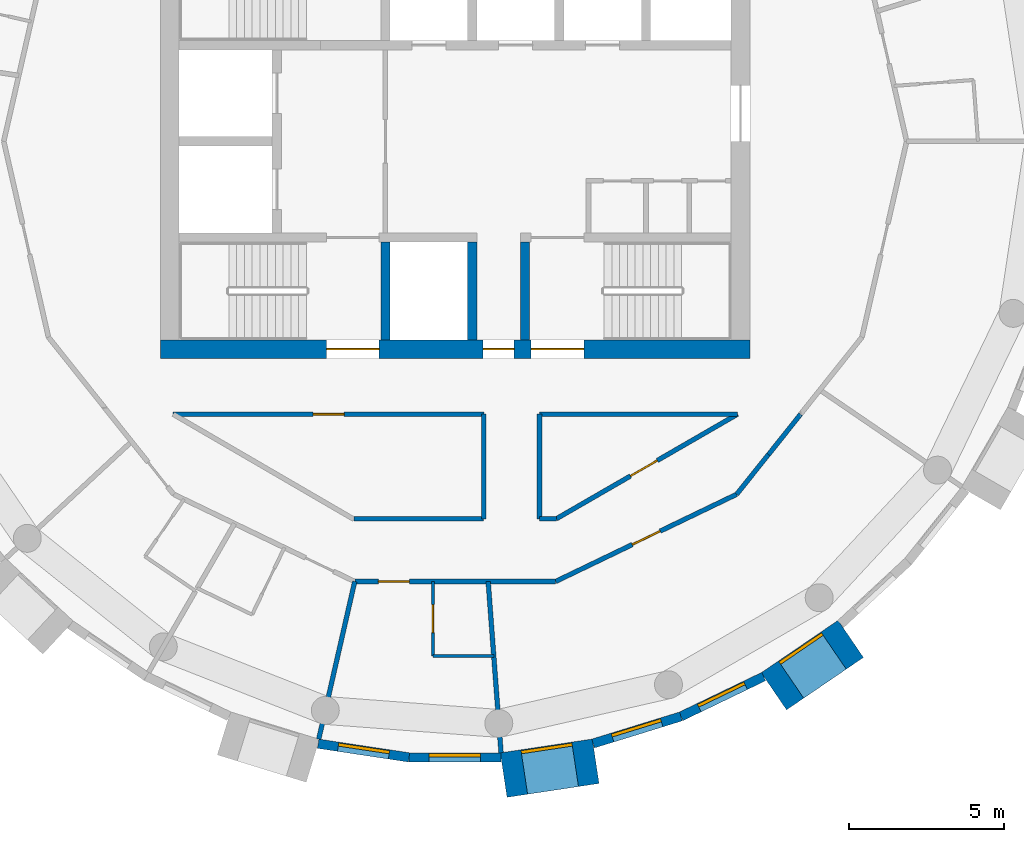
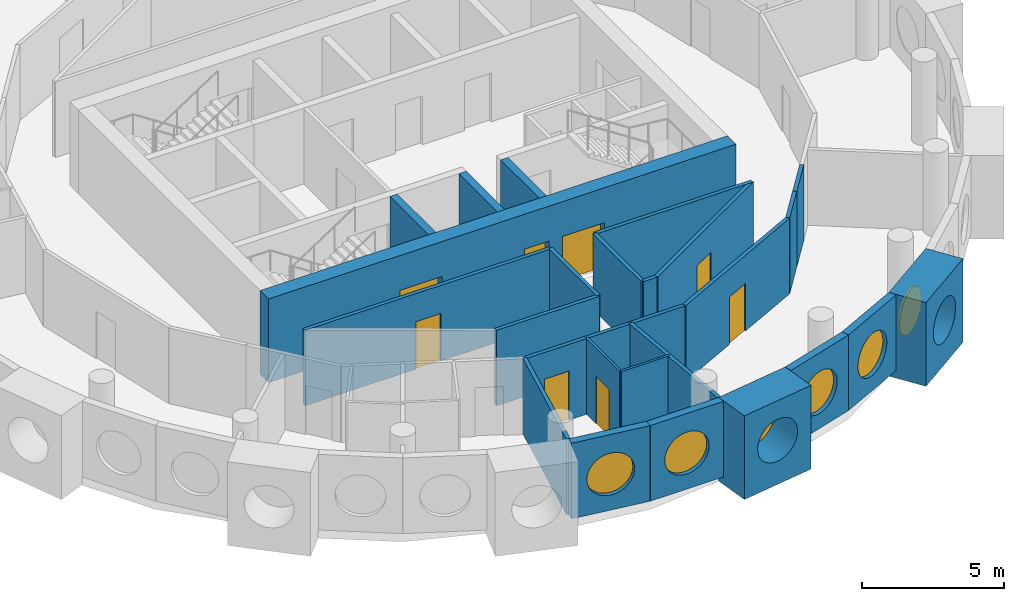
# One storey, part 4 of 13: 25 walls, 8 doors, 6 windows, 14 openings.
"""IFC4 building model written with IfcOpenShell, lengths in metres."""

from ifc_helpers import new_model, si_unit, direction, frame, frame_2d, origin, origin_2d, place, context, subcontext, project, spatial, rectangle, circle, extrude, material, layer, layer_set, type_object, element, fill, save


model = new_model("IFC4")

# Units and contexts
model_context = context("Model", 3, precision=1e-05, world=origin(), true_north=direction((0.0, 1.0)))
body_context = subcontext(model_context, "Body", "Model", "MODEL_VIEW")
ifc_project = project(units=[si_unit("LENGTHUNIT", "METRE"), si_unit("AREAUNIT", "SQUARE_METRE"), si_unit("VOLUMEUNIT", "CUBIC_METRE"), si_unit("PLANEANGLEUNIT", "RADIAN"), si_unit("MASSUNIT", "GRAM", prefix="KILO")], contexts=[model_context])

# Site, building, storey
site_placement = place(None, origin())
site = spatial("IfcSite", under=ifc_project, at=site_placement, CompositionType="ELEMENT")
building_placement = place(site_placement, origin())
building = spatial("IfcBuilding", under=site, at=building_placement, Name="Tracery Tower", CompositionType="ELEMENT")
storey_placement = place(building_placement, frame((0.0, 0.0, 301.800048828125)))
storey = spatial("IfcBuildingStorey", under=building, at=storey_placement, Name="L78", CompositionType="ELEMENT", Elevation=301.800048828125)

# Wall, openings, doors
ifc_material_1 = material(Name="Concrete C40/50", Category="concrete")
ifc_layer_1 = layer(ifc_material_1, 0.60009765625)
ifc_layer_set_1 = layer_set([ifc_layer_1], Name="Core wall 600 C40")
wall_type_1 = type_object("IfcWallType", Name="Core wall 600 C40", PredefinedType="SOLIDWALL", material=ifc_layer_set_1)
wall_1_placement = place(storey_placement, frame((-9.5, -6.699951171875, 0.0), z_axis=(0.0, 0.0, 1.0), x_axis=(1.0, 0.0, 0.0)))
wall_1 = element("IfcWall", 1, at=wall_1_placement, inside=storey, type_object=wall_type_1, Name="L78 outer S", PredefinedType="SOLIDWALL", context=body_context, shape_type="SweptSolid", body=[
    extrude(rectangle(XDim=19.0, YDim=0.60009765625, at=frame_2d((9.5, 0.0))), origin(), (0.0, 0.0, 1.0), 3.599853515625),
])
opening_1_placement = place(wall_1_placement, frame((10.39990234375, 0.0, 0.0)))
opening_1 = element("IfcOpeningElement", 2, at=opening_1_placement, cuts=wall_1, Name="Opening KD16", PredefinedType="OPENING", context=body_context, shape_type="SweptSolid", body=[
    extrude(rectangle(XDim=1.0, YDim=2.10009765625, at=frame_2d((0.5, 1.050048828125))), frame((0.0, 0.300048828125, 0.0), z_axis=(0.0, -1.0, 0.0), x_axis=(1.0, 0.0, 0.0)), (0.0, 0.0, 1.0), 0.60009765625),
])
opening_2_placement = place(wall_1_placement, frame((5.35009765625, 0.0, 0.0)))
opening_2 = element("IfcOpeningElement", 3, at=opening_2_placement, cuts=wall_1, Name="Opening KD3", PredefinedType="OPENING", context=body_context, shape_type="SweptSolid", body=[
    extrude(rectangle(XDim=1.699951171875, YDim=2.10009765625, at=frame_2d((0.85009765625, 1.050048828125))), frame((0.0, 0.300048828125, 0.0), z_axis=(0.0, -1.0, 0.0), x_axis=(1.0, 0.0, 0.0)), (0.0, 0.0, 1.0), 0.60009765625),
])
opening_3_placement = place(wall_1_placement, frame((11.949951171875, 0.0, 0.0)))
opening_3 = element("IfcOpeningElement", 4, at=opening_3_placement, cuts=wall_1, Name="Opening KD3", PredefinedType="OPENING", context=body_context, shape_type="SweptSolid", body=[
    extrude(rectangle(XDim=1.699951171875, YDim=2.10009765625, at=frame_2d((0.85009765625, 1.050048828125))), frame((0.0, 0.300048828125, 0.0), z_axis=(0.0, -1.0, 0.0), x_axis=(1.0, 0.0, 0.0)), (0.0, 0.0, 1.0), 0.60009765625),
])
ifc_material_2 = material(Name="Steel fire door", Category="steel")
door_type_1 = type_object("IfcDoorType", Name="Core exit door 1000", OperationType="NOTDEFINED", PredefinedType="DOOR", material=ifc_material_2)
door_1_placement = place(opening_1_placement, origin())
door_1 = element("IfcDoor", 5, at=door_1_placement, inside=storey, type_object=door_type_1, Name="Core exit door", OperationType="SINGLE_SWING_LEFT", OverallHeight=2.10009765625, OverallWidth=1.0, PredefinedType="DOOR", context=body_context, shape_type="SweptSolid", body=[
    extrude(rectangle(XDim=1.0, YDim=2.10009765625, at=frame_2d((0.5, 1.050048828125))), frame((0.0, 0.02490234375, 0.0), z_axis=(0.0, -1.0, 0.0), x_axis=(1.0, 0.0, 0.0)), (0.0, 0.0, 1.0), 0.050048828125),
])
fill(opening_1, door_1)
ifc_material_3 = material(Name="Steel fire door", Category="steel")
door_type_2 = type_object("IfcDoorType", Name="Core stair door 1700 double", OperationType="NOTDEFINED", PredefinedType="DOOR", material=ifc_material_3)
door_2_placement = place(opening_2_placement, origin())
door_2 = element("IfcDoor", 6, at=door_2_placement, inside=storey, type_object=door_type_2, Name="Stair door ST1 exit", OperationType="DOUBLE_DOOR_SINGLE_SWING", OverallHeight=2.10009765625, OverallWidth=1.699951171875, PredefinedType="DOOR", context=body_context, shape_type="SweptSolid", body=[
    extrude(rectangle(XDim=1.699951171875, YDim=2.10009765625, at=frame_2d((0.85009765625, 1.050048828125))), frame((0.0, 0.02490234375, 0.0), z_axis=(0.0, -1.0, 0.0), x_axis=(1.0, 0.0, 0.0)), (0.0, 0.0, 1.0), 0.050048828125),
])
fill(opening_2, door_2)
door_3_placement = place(opening_3_placement, origin())
door_3 = element("IfcDoor", 7, at=door_3_placement, inside=storey, type_object=door_type_2, Name="Stair door ST2 exit", OperationType="DOUBLE_DOOR_SINGLE_SWING", OverallHeight=2.10009765625, OverallWidth=1.699951171875, PredefinedType="DOOR", context=body_context, shape_type="SweptSolid", body=[
    extrude(rectangle(XDim=1.699951171875, YDim=2.10009765625, at=frame_2d((0.85009765625, 1.050048828125))), frame((0.0, 0.02490234375, 0.0), z_axis=(0.0, -1.0, 0.0), x_axis=(1.0, 0.0, 0.0)), (0.0, 0.0, 1.0), 0.050048828125),
])
fill(opening_3, door_3)

# Wall, opening, window
ifc_material_4 = material(Name="Precast concrete C50/60", Category="concrete")
ifc_layer_2 = layer(ifc_material_4, 1.449951171875)
ifc_layer_set_2 = layer_set([ifc_layer_2], Name="Deep-set bay unit 3000 x 3600, slab edge 350")
wall_type_2 = type_object("IfcWallType", Name="Deep-set bay unit 3000 x 3600, slab edge 350", PredefinedType="ELEMENTEDWALL", material=ifc_layer_set_2)
wall_2_placement = place(storey_placement, frame((1.563232421875, -20.436279296875, -0.35009765625), z_axis=(0.0, 0.0, 1.0), x_axis=(0.988836445254, 0.149004981587, 0.0)))
wall_2 = element("IfcWall", 8, at=wall_2_placement, inside=storey, type_object=wall_type_2, Name="Deep-set bay unit 33 at L78", PredefinedType="ELEMENTEDWALL", context=body_context, shape_type="SweptSolid", body=[
    extrude(rectangle(XDim=3.0, YDim=1.449951171875, at=frame_2d((1.5, 0.0))), origin(), (0.0, 0.0, 1.0), 3.60009765625),
])
opening_4_placement = place(wall_2_placement, frame((1.5, 0.0, 1.89990234375)))
opening_4 = element("IfcOpeningElement", 9, at=opening_4_placement, cuts=wall_2, Name="Opening WN1", PredefinedType="OPENING", context=body_context, shape_type="SweptSolid", body=[
    extrude(circle(Radius=0.9000244140625, at=origin_2d()), frame((0.0, 0.73486328125, 0.0), z_axis=(0.0, -1.0, 0.0), x_axis=(1.0, 0.0, 0.0)), (0.0, 0.0, 1.0), 1.469970703125),
])
ifc_material_5 = material(Name="Aluminium frame with tinted double glazing", Category="aluminium")
window_type = type_object("IfcWindowType", Name="Round window 1800", PartitioningType="SINGLE_PANEL", PredefinedType="WINDOW", material=ifc_material_5)
window_1_placement = place(opening_4_placement, origin())
window_1 = element("IfcWindow", 10, at=window_1_placement, inside=storey, type_object=window_type, Name="Round window 33 at L78", OverallHeight=1.800048828125, OverallWidth=1.800048828125, PartitioningType="SINGLE_PANEL", PredefinedType="WINDOW", context=body_context, shape_type="SweptSolid", body=[
    extrude(circle(Radius=0.9000244140625, at=origin_2d()), frame((0.0, 0.69482421875, 0.0), z_axis=(0.0, -1.0, 0.0), x_axis=(1.0, 0.0, 0.0)), (0.0, 0.0, 1.0), 0.10009765625),
])
fill(opening_4, window_1)

wall_3_placement = place(storey_placement, frame((10.275390625, -17.734130859375, -0.35009765625), z_axis=(0.0, 0.0, 1.0), x_axis=(0.826246281157, 0.563309047392, 0.0)))
wall_3 = element("IfcWall", 11, at=wall_3_placement, inside=storey, type_object=wall_type_2, Name="Deep-set bay unit 36 at L78", PredefinedType="ELEMENTEDWALL", context=body_context, shape_type="SweptSolid", body=[
    extrude(rectangle(XDim=3.0, YDim=1.449951171875, at=frame_2d((1.5, 0.0))), origin(), (0.0, 0.0, 1.0), 3.60009765625),
])
opening_5_placement = place(wall_3_placement, frame((1.5, 0.0, 1.89990234375)))
opening_5 = element("IfcOpeningElement", 12, at=opening_5_placement, cuts=wall_3, Name="Opening WN1", PredefinedType="OPENING", context=body_context, shape_type="SweptSolid", body=[
    extrude(circle(Radius=0.9000244140625, at=origin_2d()), frame((0.0, 0.73486328125, 0.0), z_axis=(0.0, -1.0, 0.0), x_axis=(1.0, 0.0, 0.0)), (0.0, 0.0, 1.0), 1.469970703125),
])
window_2_placement = place(opening_5_placement, origin())
window_2 = element("IfcWindow", 13, at=window_2_placement, inside=storey, type_object=window_type, Name="Round window 36 at L78", OverallHeight=1.800048828125, OverallWidth=1.800048828125, PartitioningType="SINGLE_PANEL", PredefinedType="WINDOW", context=body_context, shape_type="SweptSolid", body=[
    extrude(circle(Radius=0.9000244140625, at=origin_2d()), frame((0.0, 0.69482421875, 0.0), z_axis=(0.0, -1.0, 0.0), x_axis=(1.0, 0.0, 0.0)), (0.0, 0.0, 1.0), 0.10009765625),
])
fill(opening_5, window_2)

ifc_material_6 = material(Name="Precast concrete C50/60", Category="concrete")
ifc_layer_3 = layer(ifc_material_6, 0.300048828125)
ifc_layer_set_3 = layer_set([ifc_layer_3], Name="Facade panel 3000 x 3250")
wall_type_3 = type_object("IfcWallType", Name="Facade panel 3000 x 3250", PredefinedType="SOLIDWALL", material=ifc_layer_set_3)
wall_4_placement = place(storey_placement, frame((-4.41796875, -19.424560546875, 0.0), z_axis=(0.0, 0.0, 1.0), x_axis=(0.988835775663, -0.149009425104, 0.0)))
wall_4 = element("IfcWall", 14, at=wall_4_placement, inside=storey, type_object=wall_type_3, Name="Facade panel 31 at L78", PredefinedType="SOLIDWALL", context=body_context, shape_type="SweptSolid", body=[
    extrude(rectangle(XDim=2.962158203125, YDim=0.300048828125, at=frame_2d((1.48095703125, 0.0))), origin(), (0.0, 0.0, 1.0), 3.25),
])
opening_6_placement = place(wall_4_placement, frame((1.48095703125, 0.0, 1.5498046875)))
opening_6 = element("IfcOpeningElement", 15, at=opening_6_placement, cuts=wall_4, Name="Opening WN1", PredefinedType="OPENING", context=body_context, shape_type="SweptSolid", body=[
    extrude(circle(Radius=0.9000244140625, at=origin_2d()), frame((0.0, 0.159912109375, 0.0), z_axis=(0.0, -1.0, 0.0), x_axis=(1.0, 0.0, 0.0)), (0.0, 0.0, 1.0), 0.320068359375),
])
window_3_placement = place(opening_6_placement, origin())
window_3 = element("IfcWindow", 16, at=window_3_placement, inside=storey, type_object=window_type, Name="Round window 31 at L78", OverallHeight=1.800048828125, OverallWidth=1.800048828125, PartitioningType="SINGLE_PANEL", PredefinedType="WINDOW", context=body_context, shape_type="SweptSolid", body=[
    extrude(circle(Radius=0.9000244140625, at=origin_2d()), frame((0.0, 0.1201171875, 0.0), z_axis=(0.0, -1.0, 0.0), x_axis=(1.0, 0.0, 0.0)), (0.0, 0.0, 1.0), 0.10009765625),
])
fill(opening_6, window_3)

wall_5_placement = place(storey_placement, frame((-1.48876953125, -19.865966796875, 0.0), z_axis=(0.0, 0.0, 1.0), x_axis=(1.0, 0.0, 0.0)))
wall_5 = element("IfcWall", 17, at=wall_5_placement, inside=storey, type_object=wall_type_3, Name="Facade panel 32 at L78", PredefinedType="SOLIDWALL", context=body_context, shape_type="SweptSolid", body=[
    extrude(rectangle(XDim=2.962158203125, YDim=0.300048828125, at=frame_2d((1.48095703125, 0.0))), origin(), (0.0, 0.0, 1.0), 3.25),
])
opening_7_placement = place(wall_5_placement, frame((1.48095703125, 0.0, 1.5498046875)))
opening_7 = element("IfcOpeningElement", 18, at=opening_7_placement, cuts=wall_5, Name="Opening WN1", PredefinedType="OPENING", context=body_context, shape_type="SweptSolid", body=[
    extrude(circle(Radius=0.9000244140625, at=origin_2d()), frame((0.0, 0.159912109375, 0.0), z_axis=(0.0, -1.0, 0.0), x_axis=(1.0, 0.0, 0.0)), (0.0, 0.0, 1.0), 0.320068359375),
])
window_4_placement = place(opening_7_placement, origin())
window_4 = element("IfcWindow", 19, at=window_4_placement, inside=storey, type_object=window_type, Name="Round window 32 at L78", OverallHeight=1.800048828125, OverallWidth=1.800048828125, PartitioningType="SINGLE_PANEL", PredefinedType="WINDOW", context=body_context, shape_type="SweptSolid", body=[
    extrude(circle(Radius=0.9000244140625, at=origin_2d()), frame((0.0, 0.1201171875, 0.0), z_axis=(0.0, -1.0, 0.0), x_axis=(1.0, 0.0, 0.0)), (0.0, 0.0, 1.0), 0.10009765625),
])
fill(opening_7, window_4)

wall_6_placement = place(storey_placement, frame((4.447509765625, -19.417724609375, 0.0), z_axis=(0.0, 0.0, 1.0), x_axis=(0.95558635705, 0.294711238707, 0.0)))
wall_6 = element("IfcWall", 20, at=wall_6_placement, inside=storey, type_object=wall_type_3, Name="Facade panel 34 at L78", PredefinedType="SOLIDWALL", context=body_context, shape_type="SweptSolid", body=[
    extrude(rectangle(XDim=2.96240234375, YDim=0.300048828125, at=frame_2d((1.481201171875, 0.0))), origin(), (0.0, 0.0, 1.0), 3.25),
])
opening_8_placement = place(wall_6_placement, frame((1.48095703125, 0.0, 1.5498046875)))
opening_8 = element("IfcOpeningElement", 21, at=opening_8_placement, cuts=wall_6, Name="Opening WN1", PredefinedType="OPENING", context=body_context, shape_type="SweptSolid", body=[
    extrude(circle(Radius=0.9000244140625, at=origin_2d()), frame((0.0, 0.159912109375, 0.0), z_axis=(0.0, -1.0, 0.0), x_axis=(1.0, 0.0, 0.0)), (0.0, 0.0, 1.0), 0.320068359375),
])
window_5_placement = place(opening_8_placement, origin())
window_5 = element("IfcWindow", 22, at=window_5_placement, inside=storey, type_object=window_type, Name="Round window 34 at L78", OverallHeight=1.800048828125, OverallWidth=1.800048828125, PartitioningType="SINGLE_PANEL", PredefinedType="WINDOW", context=body_context, shape_type="SweptSolid", body=[
    extrude(circle(Radius=0.9000244140625, at=origin_2d()), frame((0.0, 0.1201171875, 0.0), z_axis=(0.0, -1.0, 0.0), x_axis=(1.0, 0.0, 0.0)), (0.0, 0.0, 1.0), 0.10009765625),
])
fill(opening_8, window_5)

wall_7_placement = place(storey_placement, frame((7.2783203125, -18.544677734375, 0.0), z_axis=(0.0, 0.0, 1.0), x_axis=(0.900939615635, 0.433944476838, 0.0)))
wall_7 = element("IfcWall", 23, at=wall_7_placement, inside=storey, type_object=wall_type_3, Name="Facade panel 35 at L78", PredefinedType="SOLIDWALL", context=body_context, shape_type="SweptSolid", body=[
    extrude(rectangle(XDim=2.962158203125, YDim=0.300048828125, at=frame_2d((1.48095703125, 0.0))), origin(), (0.0, 0.0, 1.0), 3.25),
])
opening_9_placement = place(wall_7_placement, frame((1.48095703125, 0.0, 1.5498046875)))
opening_9 = element("IfcOpeningElement", 24, at=opening_9_placement, cuts=wall_7, Name="Opening WN1", PredefinedType="OPENING", context=body_context, shape_type="SweptSolid", body=[
    extrude(circle(Radius=0.9000244140625, at=origin_2d()), frame((0.0, 0.159912109375, 0.0), z_axis=(0.0, -1.0, 0.0), x_axis=(1.0, 0.0, 0.0)), (0.0, 0.0, 1.0), 0.320068359375),
])
window_6_placement = place(opening_9_placement, origin())
window_6 = element("IfcWindow", 25, at=window_6_placement, inside=storey, type_object=window_type, Name="Round window 35 at L78", OverallHeight=1.800048828125, OverallWidth=1.800048828125, PartitioningType="SINGLE_PANEL", PredefinedType="WINDOW", context=body_context, shape_type="SweptSolid", body=[
    extrude(circle(Radius=0.9000244140625, at=origin_2d()), frame((0.0, 0.1201171875, 0.0), z_axis=(0.0, -1.0, 0.0), x_axis=(1.0, 0.0, 0.0)), (0.0, 0.0, 1.0), 0.10009765625),
])
fill(opening_9, window_6)

# Wall, opening, door
ifc_material_7 = material(Name="Plasterboard on steel studs", Category="steel")
ifc_layer_4 = layer(ifc_material_7, 0.10009765625)
ifc_layer_set_4 = layer_set([ifc_layer_4], Name="Partition 100 wet wall")
wall_type_4 = type_object("IfcWallType", Name="Partition 100 wet wall", PredefinedType="PARTITIONING", material=ifc_layer_set_4)
wall_8_placement = place(storey_placement, frame((-0.721923828125, -16.592041015625, 0.0), z_axis=(0.0, 0.0, 1.0), x_axis=(0.0, 1.0, 0.0)))
wall_8 = element("IfcWall", 26, at=wall_8_placement, inside=storey, type_object=wall_type_4, Name="Wet wall RC7-068", PredefinedType="PARTITIONING", context=body_context, shape_type="SweptSolid", body=[
    extrude(rectangle(XDim=2.400146484375, YDim=0.10009765625, at=frame_2d((1.2001953125, 0.0))), origin(), (0.0, 0.0, 1.0), 3.25),
])
opening_10_placement = place(wall_8_placement, frame((0.75, 0.0, 0.0)))
opening_10 = element("IfcOpeningElement", 27, at=opening_10_placement, cuts=wall_8, Name="Opening RC7-19", PredefinedType="OPENING", context=body_context, shape_type="SweptSolid", body=[
    extrude(rectangle(XDim=0.89990234375, YDim=2.0400390625, at=frame_2d((0.449951171875, 1.02001953125))), frame((0.0, 0.050048828125, 0.0), z_axis=(0.0, -1.0, 0.0), x_axis=(1.0, 0.0, 0.0)), (0.0, 0.0, 1.0), 0.10009765625),
])
ifc_material_8 = material(Name="Timber door leaf", Category="wood")
door_type_3 = type_object("IfcDoorType", Name="Door en-suite 900", OperationType="NOTDEFINED", PredefinedType="DOOR", material=ifc_material_8)
door_4_placement = place(opening_10_placement, origin())
door_4 = element("IfcDoor", 28, at=door_4_placement, inside=storey, type_object=door_type_3, Name="En-suite door RC7-19", OperationType="SINGLE_SWING_RIGHT", OverallHeight=2.0400390625, OverallWidth=0.89990234375, PredefinedType="DOOR", context=body_context, shape_type="SweptSolid", body=[
    extrude(rectangle(XDim=0.89990234375, YDim=2.0400390625, at=frame_2d((0.449951171875, 1.02001953125))), frame((0.0, 0.02490234375, 0.0), z_axis=(0.0, -1.0, 0.0), x_axis=(1.0, 0.0, 0.0)), (0.0, 0.0, 1.0), 0.050048828125),
])
fill(opening_10, door_4)

# Walls
wall_9_placement = place(storey_placement, frame((-0.721923828125, -16.592041015625, 0.0), z_axis=(0.0, 0.0, 1.0), x_axis=(1.0, 0.0, 0.0)))
element("IfcWall", 29, at=wall_9_placement, inside=storey, type_object=wall_type_4, Name="Wet wall RC7-069", PredefinedType="PARTITIONING", context=body_context, shape_type="SweptSolid", body=[
    extrude(rectangle(XDim=1.96484375, YDim=0.10009765625, at=frame_2d((0.982421875, 0.0))), origin(), (0.0, 0.0, 1.0), 3.25),
])
ifc_material_9 = material(Name="Plasterboard on steel studs", Category="steel")
ifc_layer_5 = layer(ifc_material_9, 0.14990234375)
ifc_layer_set_5 = layer_set([ifc_layer_5], Name="Partition 150 acoustic unit wall")
wall_type_5 = type_object("IfcWallType", Name="Partition 150 acoustic unit wall", PredefinedType="PARTITIONING", material=ifc_layer_set_5)
wall_10_placement = place(storey_placement, frame((-4.39990234375, -19.27587890625, 0.0), z_axis=(0.0, 0.0, 1.0), x_axis=(0.222612505682, 0.974907007008, 0.0)))
element("IfcWall", 30, at=wall_10_placement, inside=storey, type_object=wall_type_5, Name="Unit wall RC7-067", PredefinedType="PARTITIONING", context=body_context, shape_type="SweptSolid", body=[
    extrude(rectangle(XDim=5.21484375, YDim=0.14990234375, at=frame_2d((2.607421875, 0.0))), origin(), (0.0, 0.0, 1.0), 3.25),
])
wall_11_placement = place(storey_placement, frame((1.0625, -14.192138671875, 0.0), z_axis=(0.0, 0.0, 1.0), x_axis=(0.075011267216, -0.997182686267, 0.0)))
element("IfcWall", 31, at=wall_11_placement, inside=storey, type_object=wall_type_5, Name="Unit wall RC7-070", PredefinedType="PARTITIONING", context=body_context, shape_type="SweptSolid", body=[
    extrude(rectangle(XDim=5.53955078125, YDim=0.14990234375, at=frame_2d((2.769775390625, 0.0))), origin(), (0.0, 0.0, 1.0), 3.25),
])

# Wall, opening, door
ifc_material_10 = material(Name="Plasterboard on steel studs", Category="steel")
ifc_layer_6 = layer(ifc_material_10, 0.14990234375)
ifc_layer_set_6 = layer_set([ifc_layer_6], Name="Partition 150 corridor wall")
wall_type_6 = type_object("IfcWallType", Name="Partition 150 corridor wall", PredefinedType="PARTITIONING", material=ifc_layer_set_6)
wall_12_placement = place(storey_placement, frame((-9.092041015625, -8.800048828125, 0.0), z_axis=(0.0, 0.0, 1.0), x_axis=(1.0, 0.0, 0.0)))
wall_12 = element("IfcWall", 32, at=wall_12_placement, inside=storey, type_object=wall_type_6, Name="Corridor wall RC7-010", PredefinedType="PARTITIONING", context=body_context, shape_type="SweptSolid", body=[
    extrude(rectangle(XDim=10.01611328125, YDim=0.14990234375, at=frame_2d((5.008056640625, 0.0))), origin(), (0.0, 0.0, 1.0), 3.25),
])
opening_11_placement = place(wall_12_placement, frame((4.508056640625, 0.0, 0.0)))
opening_11 = element("IfcOpeningElement", 33, at=opening_11_placement, cuts=wall_12, Name="Opening RC7-02", PredefinedType="OPENING", context=body_context, shape_type="SweptSolid", body=[
    extrude(rectangle(XDim=1.0, YDim=2.0400390625, at=frame_2d((0.5, 1.02001953125))), frame((0.0, 0.074951171875, 0.0), z_axis=(0.0, -1.0, 0.0), x_axis=(1.0, 0.0, 0.0)), (0.0, 0.0, 1.0), 0.14990234375),
])
ifc_material_11 = material(Name="Timber door leaf", Category="wood")
door_type_4 = type_object("IfcDoorType", Name="Door communal room 1000", OperationType="NOTDEFINED", PredefinedType="DOOR", material=ifc_material_11)
door_5_placement = place(opening_11_placement, origin())
door_5 = element("IfcDoor", 34, at=door_5_placement, inside=storey, type_object=door_type_4, Name="Communal room door RC7-02", OperationType="SINGLE_SWING_RIGHT", OverallHeight=2.0400390625, OverallWidth=1.0, PredefinedType="DOOR", context=body_context, shape_type="SweptSolid", body=[
    extrude(rectangle(XDim=1.0, YDim=2.0400390625, at=frame_2d((0.5, 1.02001953125))), frame((0.0, 0.02490234375, 0.0), z_axis=(0.0, -1.0, 0.0), x_axis=(1.0, 0.0, 0.0)), (0.0, 0.0, 1.0), 0.050048828125),
])
fill(opening_11, door_5)

# Walls
wall_13_placement = place(storey_placement, frame((2.716064453125, -8.800048828125, 0.0), z_axis=(0.0, 0.0, 1.0), x_axis=(1.0, 0.0, 0.0)))
element("IfcWall", 35, at=wall_13_placement, inside=storey, type_object=wall_type_6, Name="Corridor wall RC7-013", PredefinedType="PARTITIONING", context=body_context, shape_type="SweptSolid", body=[
    extrude(rectangle(XDim=6.384521484375, YDim=0.14990234375, at=frame_2d((3.1923828125, 0.0))), origin(), (0.0, 0.0, 1.0), 3.25),
])
wall_14_placement = place(storey_placement, frame((10.10107421875, -10.10107421875, 0.0), z_axis=(0.0, 0.0, 1.0), x_axis=(0.623098344652, 0.782143498913, 0.0)))
element("IfcWall", 36, at=wall_14_placement, inside=storey, type_object=wall_type_6, Name="Corridor wall RC7-019", PredefinedType="PARTITIONING", context=body_context, shape_type="SweptSolid", body=[
    extrude(rectangle(XDim=1.660888671875, YDim=0.14990234375, at=frame_2d((0.83056640625, 0.0))), origin(), (0.0, 0.0, 1.0), 3.25),
])
wall_15_placement = place(storey_placement, frame((-3.260986328125, -12.1708984375, 0.0), z_axis=(0.0, 0.0, 1.0), x_axis=(1.0, 0.0, 0.0)))
element("IfcWall", 37, at=wall_15_placement, inside=storey, type_object=wall_type_6, Name="Corridor wall RC7-034", PredefinedType="PARTITIONING", context=body_context, shape_type="SweptSolid", body=[
    extrude(rectangle(XDim=4.180908203125, YDim=0.14990234375, at=frame_2d((2.09033203125, 0.0))), origin(), (0.0, 0.0, 1.0), 3.25),
])
for number, where, z_axis, x_axis, name in (
    (38, (0.919921875, -12.1708984375, 0.0), (0.0, 0.0, 1.0), (0.0, 1.0, 0.0), "Corridor wall RC7-035"),
    (39, (2.719970703125, -12.1708984375, 0.0), (0.0, 0.0, 1.0), (0.0, 1.0, 0.0), "Corridor wall RC7-036"),
):
    element("IfcWall", number, at=place(storey_placement, frame(where, z_axis=z_axis, x_axis=x_axis)), inside=storey, type_object=wall_type_6, Name=name, PredefinedType="PARTITIONING", context=body_context, shape_type="SweptSolid", body=[
        extrude(rectangle(XDim=3.370849609375, YDim=0.14990234375, at=frame_2d((1.685546875, 0.0))), origin(), (0.0, 0.0, 1.0), 3.25),
    ])
wall_16_placement = place(storey_placement, frame((2.719970703125, -12.1708984375, 0.0), z_axis=(0.0, 0.0, 1.0), x_axis=(1.0, 0.0, 0.0)))
element("IfcWall", 40, at=wall_16_placement, inside=storey, type_object=wall_type_6, Name="Corridor wall RC7-037", PredefinedType="PARTITIONING", context=body_context, shape_type="SweptSolid", body=[
    extrude(rectangle(XDim=0.541015625, YDim=0.14990234375, at=frame_2d((0.2705078125, 0.0))), origin(), (0.0, 0.0, 1.0), 3.25),
])

# Wall, opening, door
wall_17_placement = place(storey_placement, frame((3.260986328125, -12.1708984375, 0.0), z_axis=(0.0, 0.0, 1.0), x_axis=(0.866066809554, 0.499928276245, 0.0)))
wall_17 = element("IfcWall", 41, at=wall_17_placement, inside=storey, type_object=wall_type_6, Name="Corridor wall RC7-038", PredefinedType="PARTITIONING", context=body_context, shape_type="SweptSolid", body=[
    extrude(rectangle(XDim=6.74267578125, YDim=0.14990234375, at=frame_2d((3.371337890625, 0.0))), origin(), (0.0, 0.0, 1.0), 3.25),
])
opening_12_placement = place(wall_17_placement, frame((2.760986328125, 0.0, 0.0)))
opening_12 = element("IfcOpeningElement", 42, at=opening_12_placement, cuts=wall_17, Name="Opening RC7-03", PredefinedType="OPENING", context=body_context, shape_type="SweptSolid", body=[
    extrude(rectangle(XDim=1.0, YDim=2.0400390625, at=frame_2d((0.5, 1.02001953125))), frame((0.0, 0.074951171875, 0.0), z_axis=(0.0, -1.0, 0.0), x_axis=(1.0, 0.0, 0.0)), (0.0, 0.0, 1.0), 0.14990234375),
])
door_6_placement = place(opening_12_placement, origin())
door_6 = element("IfcDoor", 43, at=door_6_placement, inside=storey, type_object=door_type_4, Name="Communal room door RC7-03", OperationType="SINGLE_SWING_LEFT", OverallHeight=2.0400390625, OverallWidth=1.0, PredefinedType="DOOR", context=body_context, shape_type="SweptSolid", body=[
    extrude(rectangle(XDim=1.0, YDim=2.0400390625, at=frame_2d((0.5, 1.02001953125))), frame((0.0, 0.02490234375, 0.0), z_axis=(0.0, -1.0, 0.0), x_axis=(1.0, 0.0, 0.0)), (0.0, 0.0, 1.0), 0.050048828125),
])
fill(opening_12, door_6)

wall_18_placement = place(storey_placement, frame((-3.239013671875, -14.19189453125, 0.0), z_axis=(0.0, 0.0, 1.0), x_axis=(1.0, 0.0, 0.0)))
wall_18 = element("IfcWall", 44, at=wall_18_placement, inside=storey, type_object=wall_type_6, Name="Corridor wall RC7-040", PredefinedType="PARTITIONING", context=body_context, shape_type="SweptSolid", body=[
    extrude(rectangle(XDim=6.47802734375, YDim=0.14990234375, at=frame_2d((3.239013671875, 0.0))), origin(), (0.0, 0.0, 1.0), 3.25),
])
opening_13_placement = place(wall_18_placement, frame((0.760986328125, 0.0, 0.0)))
opening_13 = element("IfcOpeningElement", 45, at=opening_13_placement, cuts=wall_18, Name="Opening RC7-20", PredefinedType="OPENING", context=body_context, shape_type="SweptSolid", body=[
    extrude(rectangle(XDim=1.0, YDim=2.10009765625, at=frame_2d((0.5, 1.050048828125))), frame((0.0, 0.074951171875, 0.0), z_axis=(0.0, -1.0, 0.0), x_axis=(1.0, 0.0, 0.0)), (0.0, 0.0, 1.0), 0.14990234375),
])
ifc_material_12 = material(Name="Timber door leaf", Category="wood")
door_type_5 = type_object("IfcDoorType", Name="Door unit entrance 1000", OperationType="NOTDEFINED", PredefinedType="DOOR", material=ifc_material_12)
door_7_placement = place(opening_13_placement, origin())
door_7 = element("IfcDoor", 46, at=door_7_placement, inside=storey, type_object=door_type_5, Name="Unit entrance door RC7-20", OperationType="SINGLE_SWING_LEFT", OverallHeight=2.10009765625, OverallWidth=1.0, PredefinedType="DOOR", context=body_context, shape_type="SweptSolid", body=[
    extrude(rectangle(XDim=1.0, YDim=2.10009765625, at=frame_2d((0.5, 1.050048828125))), frame((0.0, 0.02490234375, 0.0), z_axis=(0.0, -1.0, 0.0), x_axis=(1.0, 0.0, 0.0)), (0.0, 0.0, 1.0), 0.050048828125),
])
fill(opening_13, door_7)

# Wall
wall_19_placement = place(storey_placement, frame((9.075927734375, -11.381103515625, 0.0), z_axis=(0.0, 0.0, 1.0), x_axis=(0.623805208652, 0.781579849829, 0.0)))
element("IfcWall", 47, at=wall_19_placement, inside=storey, type_object=wall_type_6, Name="Corridor wall RC7-041", PredefinedType="PARTITIONING", context=body_context, shape_type="SweptSolid", body=[
    extrude(rectangle(XDim=1.64013671875, YDim=0.14990234375, at=frame_2d((0.820068359375, 0.0))), origin(), (0.0, 0.0, 1.0), 3.25),
])

# Wall, opening, door
wall_20_placement = place(storey_placement, frame((3.239013671875, -14.19189453125, 0.0), z_axis=(0.0, 0.0, 1.0), x_axis=(0.900976027191, 0.433868872388, 0.0)))
wall_20 = element("IfcWall", 48, at=wall_20_placement, inside=storey, type_object=wall_type_6, Name="Corridor wall RC7-042", PredefinedType="PARTITIONING", context=body_context, shape_type="SweptSolid", body=[
    extrude(rectangle(XDim=6.478515625, YDim=0.14990234375, at=frame_2d((3.2392578125, 0.0))), origin(), (0.0, 0.0, 1.0), 3.25),
])
opening_14_placement = place(wall_20_placement, frame((2.739501953125, 0.0, 0.0)))
opening_14 = element("IfcOpeningElement", 49, at=opening_14_placement, cuts=wall_20, Name="Opening RC7-21", PredefinedType="OPENING", context=body_context, shape_type="SweptSolid", body=[
    extrude(rectangle(XDim=1.0, YDim=2.0400390625, at=frame_2d((0.5, 1.02001953125))), frame((0.0, 0.074951171875, 0.0), z_axis=(0.0, -1.0, 0.0), x_axis=(1.0, 0.0, 0.0)), (0.0, 0.0, 1.0), 0.14990234375),
])
door_8_placement = place(opening_14_placement, origin())
door_8 = element("IfcDoor", 50, at=door_8_placement, inside=storey, type_object=door_type_4, Name="Communal room door RC7-21", OperationType="SINGLE_SWING_LEFT", OverallHeight=2.0400390625, OverallWidth=1.0, PredefinedType="DOOR", context=body_context, shape_type="SweptSolid", body=[
    extrude(rectangle(XDim=1.0, YDim=2.0400390625, at=frame_2d((0.5, 1.02001953125))), frame((0.0, 0.02490234375, 0.0), z_axis=(0.0, -1.0, 0.0), x_axis=(1.0, 0.0, 0.0)), (0.0, 0.0, 1.0), 0.050048828125),
])
fill(opening_14, door_8)

# Walls
ifc_material_13 = material(Name="Concrete C40/50", Category="concrete")
ifc_layer_7 = layer(ifc_material_13, 0.300048828125)
ifc_layer_set_7 = layer_set([ifc_layer_7], Name="Shaft wall 300 C40")
wall_type_7 = type_object("IfcWallType", Name="Shaft wall 300 C40", PredefinedType="SOLIDWALL", material=ifc_layer_set_7)
wall_21_placement = place(storey_placement, frame((0.550048828125, -6.39990234375, 0.0), z_axis=(0.0, 0.0, 1.0), x_axis=(0.0, 1.0, 0.0)))
element("IfcWall", 51, at=wall_21_placement, inside=storey, type_object=wall_type_7, Name="L78 OB2 E", PredefinedType="SOLIDWALL", context=body_context, shape_type="SweptSolid", body=[
    extrude(rectangle(XDim=3.14990234375, YDim=0.300048828125, at=frame_2d((1.574951171875, 0.0))), origin(), (0.0, 0.0, 1.0), 3.25),
])
ifc_material_14 = material(Name="Concrete C40/50", Category="concrete")
ifc_layer_8 = layer(ifc_material_14, 0.300048828125)
ifc_layer_set_8 = layer_set([ifc_layer_8], Name="Stair wall 300 C40")
wall_type_8 = type_object("IfcWallType", Name="Stair wall 300 C40", PredefinedType="SOLIDWALL", material=ifc_layer_set_8)
for number, where, z_axis, x_axis, name in (
    (52, (-2.25, -6.39990234375, 0.0), (0.0, 0.0, 1.0), (0.0, 1.0, 0.0), "L78 ST1 E"),
    (53, (2.25, -6.39990234375, 0.0), (0.0, 0.0, 1.0), (0.0, 1.0, 0.0), "L78 ST2 W"),
):
    element("IfcWall", number, at=place(storey_placement, frame(where, z_axis=z_axis, x_axis=x_axis)), inside=storey, type_object=wall_type_8, Name=name, PredefinedType="SOLIDWALL", context=body_context, shape_type="SweptSolid", body=[
        extrude(rectangle(XDim=3.14990234375, YDim=0.300048828125, at=frame_2d((1.574951171875, 0.0))), origin(), (0.0, 0.0, 1.0), 3.25),
    ])

save(model, "model.ifc")
